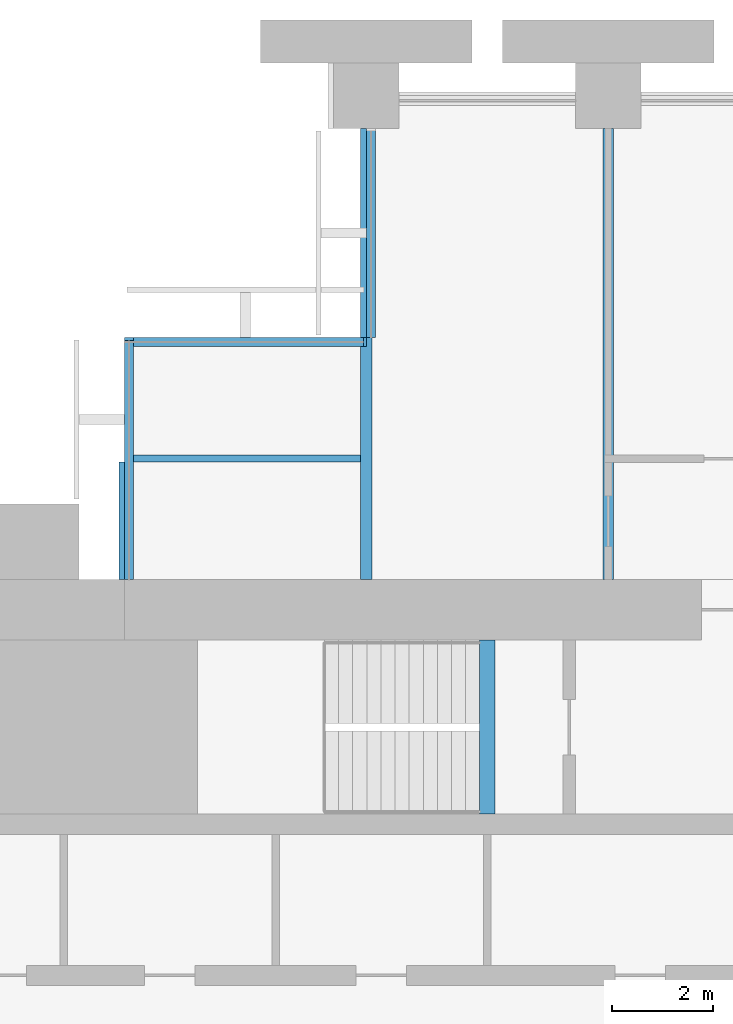
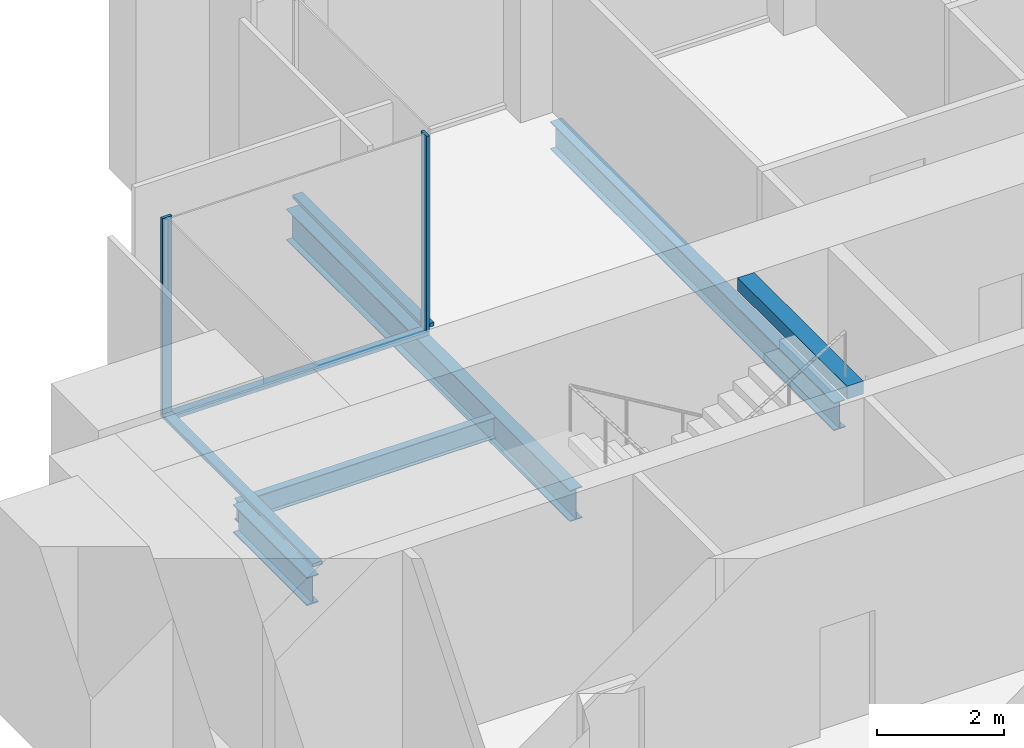
# One storey, part 5 of 14: 5 beams, 5 members, 3 elements without a shape of their own.
"""IFC4 building model written with IfcOpenShell, lengths in metres."""

from ifc_helpers import new_model, si_unit, direction, frame, origin, origin_2d, place, context, subcontext, project, spatial, rectangle, i_section, extrude, material, material_profile, profile_set, type_object, element, aggregate, save


model = new_model("IFC4")

# Units and contexts
model_context = context("Model", 3, precision=1e-05, world=origin(), true_north=direction((0.0, 1.0)))
body_context = subcontext(model_context, "Body", "Model", "MODEL_VIEW")
ifc_project = project(units=[si_unit("LENGTHUNIT", "METRE"), si_unit("AREAUNIT", "SQUARE_METRE"), si_unit("VOLUMEUNIT", "CUBIC_METRE"), si_unit("PLANEANGLEUNIT", "RADIAN"), si_unit("MASSUNIT", "GRAM", prefix="KILO")], contexts=[model_context])

# Site, building, storey
site_placement = place(None, origin())
site = spatial("IfcSite", under=ifc_project, at=site_placement, CompositionType="ELEMENT")
building_placement = place(site_placement, origin())
building = spatial("IfcBuilding", under=site, at=building_placement, Name="Baori Bourse Tower", CompositionType="ELEMENT")
storey_placement = place(building_placement, frame((0.0, 0.0, 39.0)))
storey = spatial("IfcBuildingStorey", under=building, at=storey_placement, Name="L07", CompositionType="ELEMENT", Elevation=39.0)

# Curtain wall, member
ifc_material_1 = material(Name="Pale anodised aluminium", Category="aluminium")
curtain_wall_type = type_object("IfcCurtainWallType", Name="CW2 Curtain wall", PredefinedType="NOTDEFINED", material=ifc_material_1)
curtain_wall_1_placement = place(storey_placement, origin())
curtain_wall_1 = element("IfcCurtainWall", 1, at=curtain_wall_1_placement, inside=storey, type_object=curtain_wall_type, Name="Curtain wall CW2 L07 6", PredefinedType="NOTDEFINED")
ifc_material_2 = material(Name="Pale anodised aluminium", Category="aluminium")
ifc_material_profile_1 = material_profile(ifc_material_2, rectangle(XDim=0.179931640625, YDim=0.054931640625, at=origin_2d()), Name="Mullion 55x180")
ifc_profile_set_1 = profile_set([ifc_material_profile_1], Name="Pale anodised aluminium")
member_type_1 = type_object("IfcMemberType", Name="CW2 Curtain wall mullion", PredefinedType="MULLION", material=ifc_profile_set_1)
member_1_placement = place(storey_placement, frame((9.572509765625, 43.110107421875, 0.070068359375), z_axis=(0.0, 0.0, 1.0), x_axis=(0.0, -1.0, 0.0)))
member_1 = element("IfcMember", 2, at=member_1_placement, type_object=member_type_1, Name="Curtain wall CW2 mullion", PredefinedType="MULLION", context=body_context, shape_type="SweptSolid", body=[
    extrude(rectangle(XDim=0.179931640625, YDim=0.054931640625, at=origin_2d()), origin(), (0.0, 0.0, 1.0), 3.77001953125),
])

curtain_wall_2_placement = place(storey_placement, origin())
curtain_wall_2 = element("IfcCurtainWall", 3, at=curtain_wall_2_placement, inside=storey, type_object=curtain_wall_type, Name="Curtain wall CW2 L07 7", PredefinedType="NOTDEFINED")
member_2_placement = place(storey_placement, frame((4.889892578125, 43.172607421875, 0.070068359375), z_axis=(0.0, 0.0, 1.0), x_axis=(1.0, 0.0, 0.0)))
member_2 = element("IfcMember", 4, at=member_2_placement, type_object=member_type_1, Name="Curtain wall CW2 mullion", PredefinedType="MULLION", context=body_context, shape_type="SweptSolid", body=[
    extrude(rectangle(XDim=0.179931640625, YDim=0.054931640625, at=origin_2d()), origin(), (0.0, 0.0, 1.0), 3.77001953125),
])

curtain_wall_3_placement = place(storey_placement, origin())
curtain_wall_3 = element("IfcCurtainWall", 5, at=curtain_wall_3_placement, inside=storey, type_object=curtain_wall_type, Name="Curtain wall CW2 L07 5", PredefinedType="NOTDEFINED")
ifc_material_3 = material(Name="Pale anodised aluminium", Category="aluminium")
ifc_material_profile_2 = material_profile(ifc_material_3, rectangle(XDim=0.179931640625, YDim=0.070068359375, at=origin_2d()), Name="Transom 70x180")
ifc_profile_set_2 = profile_set([ifc_material_profile_2], Name="Pale anodised aluminium")
member_type_2 = type_object("IfcMemberType", Name="CW2 Curtain wall transom", PredefinedType="USERDEFINED", material=ifc_profile_set_2)
member_3_placement = place(storey_placement, frame((9.68994140625, 47.35009765625, 0.034912109375), z_axis=(0.0, -1.0, 0.0), x_axis=(1.0, 0.0, 0.0)))
member_3 = element("IfcMember", 6, at=member_3_placement, type_object=member_type_2, Name="Curtain wall CW2 sill rail", ObjectType="TRANSOM", PredefinedType="USERDEFINED", context=body_context, shape_type="SweptSolid", body=[
    extrude(rectangle(XDim=0.179931640625, YDim=0.070068359375, at=origin_2d()), origin(), (0.0, 0.0, 1.0), 4.150146484375),
])
aggregate(curtain_wall_3, [member_3])

# Member
member_4_placement = place(storey_placement, frame((9.60009765625, 43.110107421875, 0.034912109375), z_axis=(-1.0, 0.0, 0.0), x_axis=(0.0, -1.0, 0.0)))
member_4 = element("IfcMember", 7, at=member_4_placement, type_object=member_type_2, Name="Curtain wall CW2 sill rail", ObjectType="TRANSOM", PredefinedType="USERDEFINED", context=body_context, shape_type="SweptSolid", body=[
    extrude(rectangle(XDim=0.179931640625, YDim=0.070068359375, at=origin_2d()), origin(), (0.0, 0.0, 1.0), 4.800048828125),
])

aggregate(curtain_wall_1, [member_4, member_1])

member_5_placement = place(storey_placement, frame((4.889892578125, 43.199951171875, 0.034912109375), z_axis=(0.0, -1.0, 0.0), x_axis=(1.0, 0.0, 0.0)))
member_5 = element("IfcMember", 8, at=member_5_placement, type_object=member_type_2, Name="Curtain wall CW2 sill rail", ObjectType="TRANSOM", PredefinedType="USERDEFINED", context=body_context, shape_type="SweptSolid", body=[
    extrude(rectangle(XDim=0.179931640625, YDim=0.070068359375, at=origin_2d()), origin(), (0.0, 0.0, 1.0), 4.800048828125),
])

aggregate(curtain_wall_2, [member_5, member_2])

# Beams
ifc_material_4 = material(Name="Steel A992 Gr 50", Category="steel")
ifc_material_profile_3 = material_profile(ifc_material_4, i_section(OverallWidth=0.21240234375, OverallDepth=0.54345703125, WebThickness=0.01318359375, FlangeThickness=0.021240234375, at=origin_2d()), Name="W21x83")
ifc_profile_set_3 = profile_set([ifc_material_profile_3], Name="Steel A992 Gr 50")
beam_type_1 = type_object("IfcBeamType", Name="Core bracket W21x83", PredefinedType="BEAM", material=ifc_profile_set_3)
beam_1_placement = place(storey_placement, frame((4.800048828125, 38.39990234375, -0.431884765625), z_axis=(0.0, 1.0, 0.0), x_axis=(-1.0, 0.0, 0.0)))
element("IfcBeam", 9, at=beam_1_placement, inside=storey, type_object=beam_type_1, Name="Core bracket L07", PredefinedType="BEAM", context=body_context, shape_type="SweptSolid", body=[
    extrude(i_section(OverallWidth=0.21240234375, OverallDepth=0.54345703125, WebThickness=0.01318359375, FlangeThickness=0.021240234375, at=origin_2d()), origin(), (0.0, 0.0, 1.0), 2.329833984375),
])
ifc_material_5 = material(Name="Steel A992 Gr 50", Category="steel")
ifc_material_profile_4 = material_profile(ifc_material_5, i_section(OverallWidth=0.209228515625, OverallDepth=0.533447265625, WebThickness=0.01025390625, FlangeThickness=0.015625, at=origin_2d()), Name="W21x62")
ifc_profile_set_4 = profile_set([ifc_material_profile_4], Name="Steel A992 Gr 50")
beam_type_2 = type_object("IfcBeamType", Name="Floor beam W21x62", PredefinedType="BEAM", material=ifc_profile_set_4)
beam_2_placement = place(storey_placement, frame((14.39990234375, 38.39990234375, -0.4267578125), z_axis=(0.0, 1.0, 0.0), x_axis=(-1.0, 0.0, 0.0)))
element("IfcBeam", 10, at=beam_2_placement, inside=storey, type_object=beam_type_2, Name="Floor beam L07", PredefinedType="BEAM", context=body_context, shape_type="SweptSolid", body=[
    extrude(i_section(OverallWidth=0.209228515625, OverallDepth=0.533447265625, WebThickness=0.01025390625, FlangeThickness=0.015625, at=origin_2d()), origin(), (0.0, 0.0, 1.0), 8.9501953125),
])
ifc_material_6 = material(Name="Steel A992 Gr 50", Category="steel")
ifc_material_profile_5 = material_profile(ifc_material_6, i_section(OverallWidth=0.227783203125, OverallDepth=0.60205078125, WebThickness=0.010498046875, FlangeThickness=0.014892578125, at=origin_2d()), Name="W24x68")
ifc_profile_set_5 = profile_set([ifc_material_profile_5], Name="Steel A992 Gr 50")
beam_type_3 = type_object("IfcBeamType", Name="Floor beam W24x68", PredefinedType="BEAM", material=ifc_profile_set_5)
beam_3_placement = place(storey_placement, frame((9.60009765625, 38.39990234375, -0.4609375), z_axis=(0.0, 1.0, 0.0), x_axis=(-1.0, 0.0, 0.0)))
element("IfcBeam", 11, at=beam_3_placement, inside=storey, type_object=beam_type_3, Name="Floor beam L07", PredefinedType="BEAM", context=body_context, shape_type="SweptSolid", body=[
    extrude(i_section(OverallWidth=0.227783203125, OverallDepth=0.60205078125, WebThickness=0.010498046875, FlangeThickness=0.014892578125, at=origin_2d()), origin(), (0.0, 0.0, 1.0), 8.9501953125),
])
ifc_material_7 = material(Name="Concrete f'c 50 MPa", Category="concrete")
ifc_material_profile_6 = material_profile(ifc_material_7, rectangle(XDim=0.300048828125, YDim=0.25, at=origin_2d()), Name="RC 300x250")
ifc_profile_set_6 = profile_set([ifc_material_profile_6], Name="Concrete f'c 50 MPa")
beam_type_4 = type_object("IfcBeamType", Name="Stair nib beam RC 300x250", PredefinedType="BEAM", material=ifc_profile_set_6)
beam_4_placement = place(storey_placement, frame((12.0, 33.75, 3.715087890625), z_axis=(0.0, 1.0, 0.0), x_axis=(-1.0, 0.0, 0.0)))
element("IfcBeam", 12, at=beam_4_placement, inside=storey, type_object=beam_type_4, Name="Stair WB nib beam L08", PredefinedType="BEAM", context=body_context, shape_type="SweptSolid", body=[
    extrude(rectangle(XDim=0.300048828125, YDim=0.25, at=origin_2d()), origin(), (0.0, 0.0, 1.0), 3.449951171875),
])
ifc_material_8 = material(Name="Steel A992 Gr 50", Category="steel")
ifc_material_profile_7 = material_profile(ifc_material_8, i_section(OverallWidth=0.140380859375, OverallDepth=0.40380859375, WebThickness=0.007080078125, FlangeThickness=0.01123046875, at=origin_2d()), Name="W16x31")
ifc_profile_set_7 = profile_set([ifc_material_profile_7], Name="Steel A992 Gr 50")
beam_type_5 = type_object("IfcBeamType", Name="Trimmer beam W16x31", PredefinedType="BEAM", material=ifc_profile_set_7)
beam_5_placement = place(storey_placement, frame((4.800048828125, 40.800048828125, -0.36181640625), z_axis=(1.0, 0.0, 0.0), x_axis=(0.0, 1.0, 0.0)))
element("IfcBeam", 13, at=beam_5_placement, inside=storey, type_object=beam_type_5, Name="Trimmer beam L07", PredefinedType="BEAM", context=body_context, shape_type="SweptSolid", body=[
    extrude(i_section(OverallWidth=0.140380859375, OverallDepth=0.40380859375, WebThickness=0.007080078125, FlangeThickness=0.01123046875, at=origin_2d()), origin(), (0.0, 0.0, 1.0), 4.68603515625),
])

save(model, "model.ifc")
